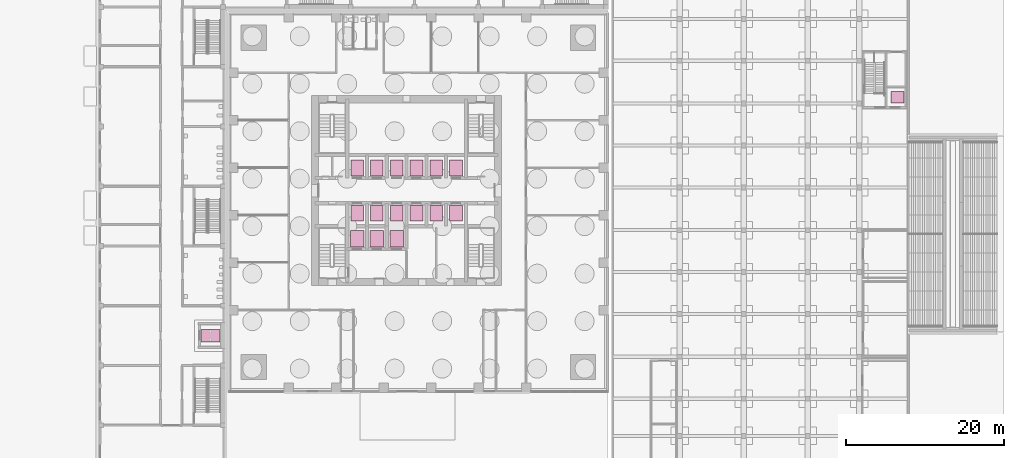
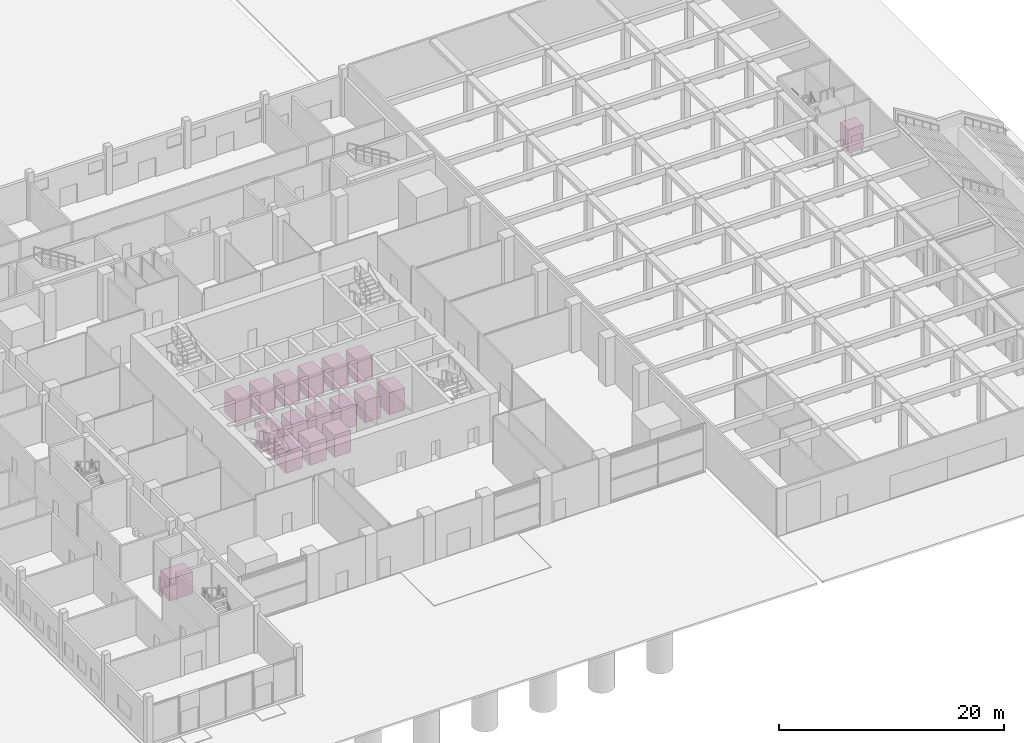
# One storey, part 33 of 33: 17 transport elements.
"""IFC4 building model written with IfcOpenShell, lengths in metres."""

import ifcopenshell
import ifcopenshell.guid

model = None  # the IFC model being written
_history = None  # IfcOwnerHistory: only IFC2X3 demands one
_inside = {}  # id of a spatial element -> (the spatial element, [elements in it])
_under = {}  # id of a project, library or spatial element -> (it, [spatial elements below it])
_declared = {}  # id of a project -> (the project, [libraries it declares])
_typed = {}  # id of a type object -> (the type object, [elements of that type])
_made_of = {}  # id of a material, layer set ... -> (it, [elements and type objects made of it])


def new_model(schema):
    """Start an empty IFC model of exactly this schema.

    Asked for "IFC4X3", IfcOpenShell would pick the latest addendum, in which some entities
    have other attributes; the version numbers below select the first issue.
    IFC2X3 requires an IfcOwnerHistory on every rooted entity: one is made here for all.
    """
    global model, _history
    if schema == "IFC4X3":
        model = ifcopenshell.file(schema_version=(4, 3, 0, 0))
    else:
        model = ifcopenshell.file(schema=schema)
    _inside.clear()
    _under.clear()
    _declared.clear()
    _typed.clear()
    _made_of.clear()
    _history = None
    if model.schema == "IFC2X3":
        org = make("IfcOrganization", Name="unknown")
        user = make(
            "IfcPersonAndOrganization",
            ThePerson=make("IfcPerson", FamilyName="unknown"),
            TheOrganization=org,
        )
        app = make(
            "IfcApplication",
            ApplicationDeveloper=org,
            Version="unknown",
            ApplicationFullName="unknown",
            ApplicationIdentifier="unknown",
        )
        _history = make(
            "IfcOwnerHistory",
            OwningUser=user,
            OwningApplication=app,
            ChangeAction="ADDED",
            CreationDate=0,
        )
    return model


def make(cls, **values):
    """One entity of the class cls with the attributes given. An attribute that is None is left unset."""
    return model.create_entity(
        cls, **{name: value for name, value in values.items() if value is not None}
    )


def rooted(cls, **values):
    """An entity with a GlobalId (a new one), such as an element, a storey or a relation."""
    return make(cls, GlobalId=ifcopenshell.guid.new(), OwnerHistory=_history, **values)


def si_unit(unit_type, name, prefix=None):
    """IfcSIUnit, for example si_unit("LENGTHUNIT", "METRE", prefix="MILLI")."""
    return make("IfcSIUnit", UnitType=unit_type, Prefix=prefix, Name=name)


def assignment(units):
    """IfcUnitAssignment: the units of a project."""
    return None if units is None else make("IfcUnitAssignment", Units=units)


def point(xyz):
    """IfcCartesianPoint."""
    return None if xyz is None else make("IfcCartesianPoint", Coordinates=xyz)


def direction(xyz):
    """IfcDirection."""
    return None if xyz is None else make("IfcDirection", DirectionRatios=xyz)


def frame(location, z_axis=None, x_axis=None):
    """IfcAxis2Placement3D, a coordinate frame: its origin and axes. An axis left out is left unset."""
    return make(
        "IfcAxis2Placement3D",
        Location=point(location),
        Axis=direction(z_axis),
        RefDirection=direction(x_axis),
    )


def frame_2d(location, x_axis=None):
    """IfcAxis2Placement2D, a coordinate frame in the plane: its origin and x axis."""
    return make(
        "IfcAxis2Placement2D", Location=point(location), RefDirection=direction(x_axis)
    )


def origin():
    """The frame at (0, 0, 0) with its axes left unset."""
    return frame((0.0, 0.0, 0.0))


def origin_2d():
    """The frame at (0, 0) in the plane with its x axis left unset."""
    return frame_2d((0.0, 0.0))


def place(relative_to, where):
    """IfcLocalPlacement: puts the frame where relative to a parent placement (None: the world)."""
    return make(
        "IfcLocalPlacement", PlacementRelTo=relative_to, RelativePlacement=where
    )


def context(
    kind, dimensions, precision=None, world=None, true_north=None, identifier=None
):
    """IfcGeometricRepresentationContext, for example the 3D "Model" context."""
    return make(
        "IfcGeometricRepresentationContext",
        ContextIdentifier=identifier,
        ContextType=kind,
        CoordinateSpaceDimension=dimensions,
        Precision=precision,
        WorldCoordinateSystem=world,
        TrueNorth=true_north,
    )


def subcontext(parent, identifier, kind, view, scale=None):
    """IfcGeometricRepresentationSubContext, for example "Body" below "Model"."""
    return make(
        "IfcGeometricRepresentationSubContext",
        ContextIdentifier=identifier,
        ContextType=kind,
        ParentContext=parent,
        TargetScale=scale,
        TargetView=view,
    )


def project(units=None, contexts=None):
    """IfcProject with its units and contexts."""
    return rooted(
        "IfcProject",
        Name="project",
        RepresentationContexts=contexts,
        UnitsInContext=assignment(units),
    )


def spatial(cls, under=None, at=None, **own):
    """A site, building, storey or space (cls), placed at a placement, below another one or the project."""
    s = rooted(cls, ObjectPlacement=at, **own)
    if under is not None:
        _under.setdefault(under.id(), (under, []))[1].append(s)
    return s


def profile(cls, at=None, kind="AREA", **sizes):
    """A parametric profile (cls). Its sizes go by their IFC names, for example OverallWidth=200.0."""
    return make(cls, ProfileType=kind, Position=at, **sizes)


def rectangle(**sizes):
    """IfcRectangleProfileDef."""
    return profile("IfcRectangleProfileDef", **sizes)


def extrude(swept, where, along, depth):
    """IfcExtrudedAreaSolid: the profile swept, set in the frame where, extruded along a direction by depth."""
    return make(
        "IfcExtrudedAreaSolid",
        SweptArea=swept,
        Position=where,
        ExtrudedDirection=direction(along),
        Depth=depth,
    )


def shape(context_of_items, identifier, shape_type, items):
    """IfcShapeRepresentation: the items that make up one representation, for example the "Body"."""
    return make(
        "IfcShapeRepresentation",
        ContextOfItems=context_of_items,
        RepresentationIdentifier=identifier,
        RepresentationType=shape_type,
        Items=items,
    )


def material(Name=None, Category=None):
    """IfcMaterial."""
    return make("IfcMaterial", Name=Name, Category=Category)


def made_of(thing, what):
    """Note that an element or type object is made of a material, layer set ...; save() writes the relation."""
    if what is not None:
        _made_of.setdefault(what.id(), (what, []))[1].append(thing)
    return thing


def type_object(cls, material=None, **own):
    """A type object (cls), such as IfcWallType, which elements share."""
    return made_of(rooted(cls, **own), material)


def element(
    cls,
    number,
    at=None,
    inside=None,
    cuts=None,
    type_object=None,
    material=None,
    context=None,
    identifier="Body",
    shape_type=None,
    held_by="IfcProductDefinitionShape",
    body=None,
    shapes=None,
    **own,
):
    """One element of the class cls, such as IfcWall. Its Tag is "e" and its number.

    at: its placement. inside: the storey or other place that contains it. cuts: it is an
    opening in that element (IfcRelVoidsElement). A single representation is given by context,
    identifier, shape_type and body (its items); several are given by shapes. held_by: the class
    of the entity that holds the representations. save() writes the other relations.
    """
    e = rooted(cls, Tag="e%d" % number, ObjectPlacement=at, **own)
    if body is not None:
        shapes = [shape(context, identifier, shape_type, body)]
    if shapes is not None:
        e.Representation = make(held_by, Representations=shapes)
    if inside is not None:
        _inside.setdefault(inside.id(), (inside, []))[1].append(e)
    if cuts is not None:
        rooted(
            "IfcRelVoidsElement", RelatingBuildingElement=cuts, RelatedOpeningElement=e
        )
    if type_object is not None:
        _typed.setdefault(type_object.id(), (type_object, []))[1].append(e)
    return made_of(e, material)


def aggregate(whole, parts):
    """IfcRelAggregates: a whole, such as a stair, and the parts it consists of."""
    return rooted("IfcRelAggregates", RelatingObject=whole, RelatedObjects=parts)


def save(model, path):
    """Write the relations noted so far, then the file.

    IfcRelAggregates (storeys below a building ...), IfcRelContainedInSpatialStructure (elements
    in a storey), IfcRelDefinesByType, IfcRelAssociatesMaterial and IfcRelDeclares: one each for
    every whole, place, type object, material and project.
    """
    for whole, parts in _under.values():
        aggregate(whole, parts)
    for where, things in _inside.values():
        rooted(
            "IfcRelContainedInSpatialStructure",
            RelatedElements=things,
            RelatingStructure=where,
        )
    for kind, things in _typed.values():
        rooted("IfcRelDefinesByType", RelatedObjects=things, RelatingType=kind)
    for what, things in _made_of.values():
        rooted("IfcRelAssociatesMaterial", RelatedObjects=things, RelatingMaterial=what)
    for by, libraries in _declared.values():
        rooted("IfcRelDeclares", RelatingContext=by, RelatedDefinitions=libraries)
    model.write(path)


model = new_model("IFC4")

# Units and contexts
model_context = context("Model", 3, precision=1e-05, world=origin(), true_north=direction((0.0, 1.0)))
body_context = subcontext(model_context, "Body", "Model", "MODEL_VIEW")
ifc_project = project(units=[si_unit("LENGTHUNIT", "METRE"), si_unit("AREAUNIT", "SQUARE_METRE"), si_unit("VOLUMEUNIT", "CUBIC_METRE"), si_unit("PLANEANGLEUNIT", "RADIAN"), si_unit("MASSUNIT", "GRAM", prefix="KILO")], contexts=[model_context])

# Site, building, storey
site_placement = place(None, origin())
site = spatial("IfcSite", under=ifc_project, at=site_placement, CompositionType="ELEMENT")
building_placement = place(site_placement, origin())
building = spatial("IfcBuilding", under=site, at=building_placement, Name="Amberfall Residences", CompositionType="ELEMENT")
storey_placement = place(building_placement, origin())
storey = spatial("IfcBuildingStorey", under=building, at=storey_placement, Name="L00", CompositionType="ELEMENT", Elevation=0.0)

# Transport elements
ifc_material_1 = material(Name="Stainless steel cabin", Category="steel")
transport_element_type_1 = type_object("IfcTransportElementType", Name="Firefighting lift car 1600 kg", PredefinedType="ELEVATOR", material=ifc_material_1)
for number, where, z_axis, x_axis, name in (
    (1, (68.25, 39.409912109375, 0.0), (0.0, 0.0, 1.0), (1.0, 0.0, 0.0), "Firefighting Lift FF1"),
    (2, (70.75, 39.409912109375, 0.0), (0.0, 0.0, 1.0), (1.0, 0.0, 0.0), "Firefighting Lift FF2"),
):
    element("IfcTransportElement", number, at=place(storey_placement, frame(where, z_axis=z_axis, x_axis=x_axis)), inside=storey, type_object=transport_element_type_1, Name=name, PredefinedType="ELEVATOR", context=body_context, shape_type="SweptSolid", body=[
        extrude(rectangle(XDim=1.699951171875, YDim=2.10009765625, at=origin_2d()), origin(), (0.0, 0.0, 1.0), 2.39990234375),
    ])
ifc_material_2 = material(Name="Stainless steel lift car", Category="steel")
transport_element_type_2 = type_object("IfcTransportElementType", Name="Garden lift 1600x1400", PredefinedType="ELEVATOR", material=ifc_material_2)
transport_element_1_placement = place(storey_placement, frame((136.550048828125, 57.300048828125, 0.0), z_axis=(0.0, 0.0, 1.0), x_axis=(1.0, 0.0, 0.0)))
element("IfcTransportElement", 3, at=transport_element_1_placement, inside=storey, type_object=transport_element_type_2, Name="Garden Lift GL1", PredefinedType="ELEVATOR", context=body_context, shape_type="SweptSolid", body=[
    extrude(rectangle(XDim=1.60009765625, YDim=1.39990234375, at=origin_2d()), origin(), (0.0, 0.0, 1.0), 2.39990234375),
])
transport_element_type_3 = type_object("IfcTransportElementType", Name="Passenger lift car 1350 kg", PredefinedType="ELEVATOR", material=ifc_material_1)
for number, where, z_axis, x_axis, name in (
    (4, (68.25, 42.639892578125, 0.0), (0.0, 0.0, 1.0), (1.0, 0.0, 0.0), "Passenger Lift LP1"),
    (5, (68.25, 48.360107421875, 0.0), (0.0, 0.0, 1.0), (1.0, 0.0, 0.0), "Passenger Lift HP1"),
    (6, (70.75, 42.639892578125, 0.0), (0.0, 0.0, 1.0), (1.0, 0.0, 0.0), "Passenger Lift LP2"),
    (7, (70.75, 48.360107421875, 0.0), (0.0, 0.0, 1.0), (1.0, 0.0, 0.0), "Passenger Lift HP2"),
    (8, (73.25, 42.639892578125, 0.0), (0.0, 0.0, 1.0), (1.0, 0.0, 0.0), "Passenger Lift LP3"),
    (9, (73.25, 48.360107421875, 0.0), (0.0, 0.0, 1.0), (1.0, 0.0, 0.0), "Passenger Lift HP3"),
    (10, (75.75, 42.639892578125, 0.0), (0.0, 0.0, 1.0), (1.0, 0.0, 0.0), "Passenger Lift LP4"),
    (11, (75.75, 48.360107421875, 0.0), (0.0, 0.0, 1.0), (1.0, 0.0, 0.0), "Passenger Lift HP4"),
    (12, (78.25, 42.639892578125, 0.0), (0.0, 0.0, 1.0), (1.0, 0.0, 0.0), "Passenger Lift LP5"),
    (13, (78.25, 48.360107421875, 0.0), (0.0, 0.0, 1.0), (1.0, 0.0, 0.0), "Passenger Lift HP5"),
    (14, (80.75, 42.639892578125, 0.0), (0.0, 0.0, 1.0), (1.0, 0.0, 0.0), "Passenger Lift LP6"),
    (15, (80.75, 48.360107421875, 0.0), (0.0, 0.0, 1.0), (1.0, 0.0, 0.0), "Passenger Lift HP6"),
):
    element("IfcTransportElement", number, at=place(storey_placement, frame(where, z_axis=z_axis, x_axis=x_axis)), inside=storey, type_object=transport_element_type_3, Name=name, PredefinedType="ELEVATOR", context=body_context, shape_type="SweptSolid", body=[
        extrude(rectangle(XDim=1.60009765625, YDim=2.0, at=origin_2d()), origin(), (0.0, 0.0, 1.0), 2.39990234375),
    ])
ifc_material_3 = material(Name="Stainless steel", Category="steel")
transport_element_type_4 = type_object("IfcTransportElementType", Name="School passenger lift 1600 x 2400", PredefinedType="ELEVATOR", material=ifc_material_3)
transport_element_2_placement = place(storey_placement, frame((49.72509765625, 27.175048828125, 0.0), z_axis=(0.0, 0.0, 1.0), x_axis=(1.0, 0.0, 0.0)))
element("IfcTransportElement", 16, at=transport_element_2_placement, inside=storey, type_object=transport_element_type_4, Name="Passenger Lift LS1", PredefinedType="ELEVATOR", context=body_context, shape_type="SweptSolid", body=[
    extrude(rectangle(XDim=2.39990234375, YDim=1.60009765625, at=origin_2d()), origin(), (0.0, 0.0, 1.0), 2.39990234375),
])
transport_element_type_5 = type_object("IfcTransportElementType", Name="Service lift car 1600 kg", PredefinedType="ELEVATOR", material=ifc_material_1)
transport_element_3_placement = place(storey_placement, frame((73.25, 39.409912109375, 0.0), z_axis=(0.0, 0.0, 1.0), x_axis=(1.0, 0.0, 0.0)))
element("IfcTransportElement", 17, at=transport_element_3_placement, inside=storey, type_object=transport_element_type_5, Name="Service Lift SL1", PredefinedType="ELEVATOR", context=body_context, shape_type="SweptSolid", body=[
    extrude(rectangle(XDim=1.699951171875, YDim=2.10009765625, at=origin_2d()), origin(), (0.0, 0.0, 1.0), 2.39990234375),
])

save(model, "model.ifc")
